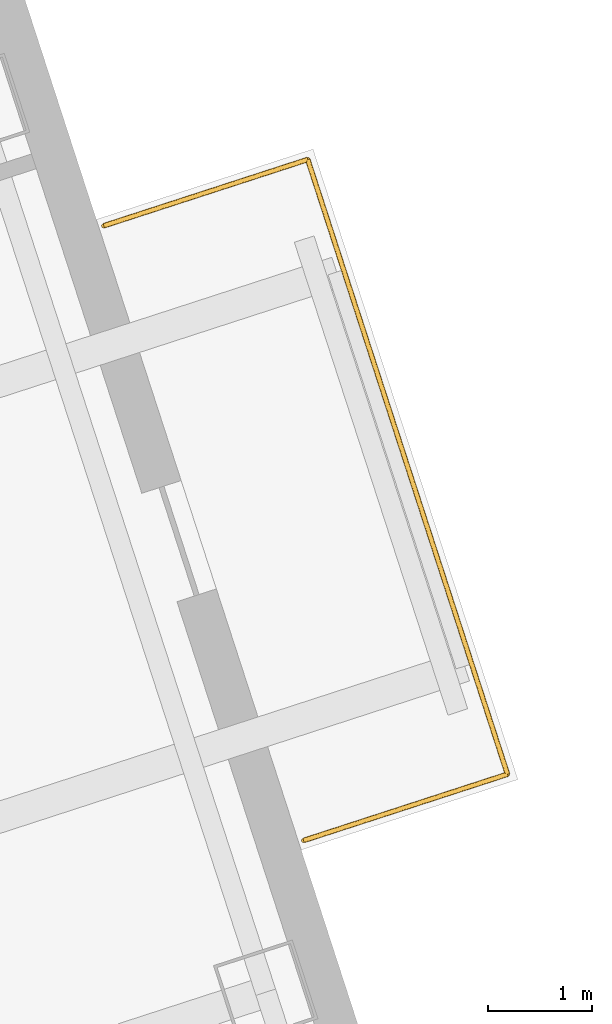
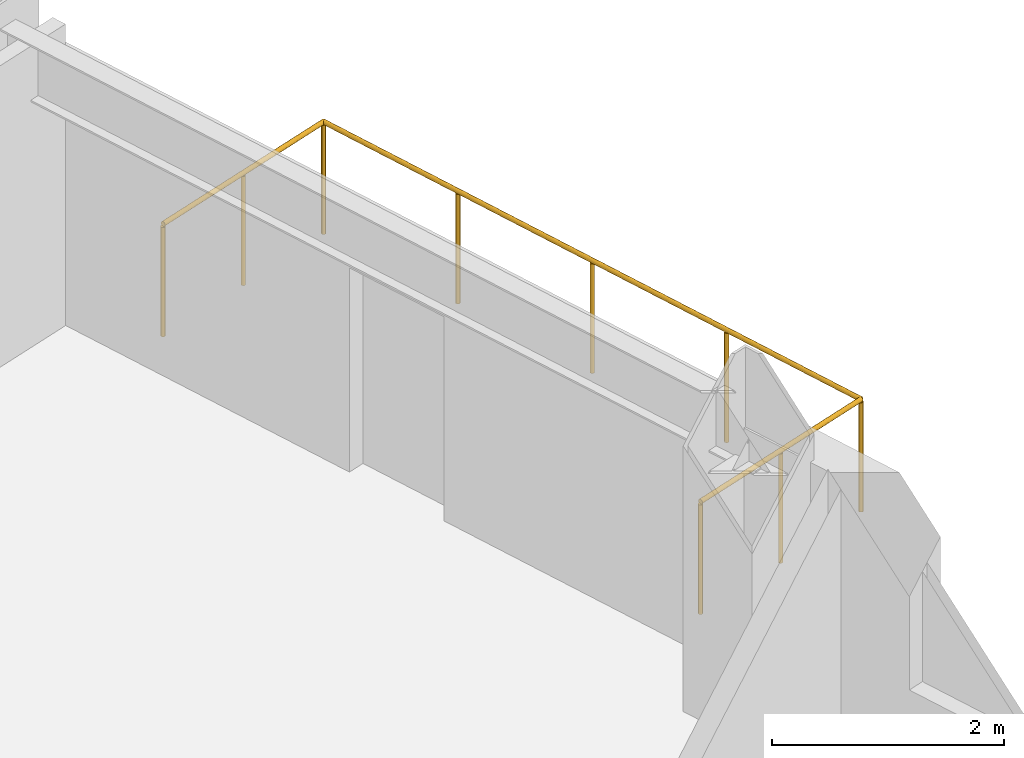
# One storey, part 17 of 17: 1 railing.
"""IFC4 building model written with IfcOpenShell, lengths in metres."""

from ifc_helpers import new_model, si_unit, direction, frame, origin, origin_2d, place, context, subcontext, project, spatial, circle, extrude, material, type_object, element, save


model = new_model("IFC4")

# Units and contexts
model_context = context("Model", 3, precision=1e-05, world=origin(), true_north=direction((0.0, 1.0)))
body_context = subcontext(model_context, "Body", "Model", "MODEL_VIEW")
ifc_project = project(units=[si_unit("LENGTHUNIT", "METRE"), si_unit("AREAUNIT", "SQUARE_METRE"), si_unit("VOLUMEUNIT", "CUBIC_METRE"), si_unit("PLANEANGLEUNIT", "RADIAN"), si_unit("MASSUNIT", "GRAM", prefix="KILO")], contexts=[model_context])

# Site, building, storey
site_placement = place(None, origin())
site = spatial("IfcSite", under=ifc_project, at=site_placement, CompositionType="ELEMENT")
building_placement = place(site_placement, origin())
building = spatial("IfcBuilding", under=site, at=building_placement, Name="Qiaolan Cultural Towers", CompositionType="ELEMENT")
storey_placement = place(building_placement, frame((0.0, 0.0, 177.10009765625)))
storey = spatial("IfcBuildingStorey", under=building, at=storey_placement, Name="L47", CompositionType="ELEMENT", Elevation=177.10009765625)

# Railing
ifc_material = material(Name="Laminated SentryGlas & Stainless Steel S31608 Balustrade", Category="steel")
railing_type = type_object("IfcRailingType", Name="GRD-TERR-1200", PredefinedType="BALUSTRADE", material=ifc_material)
railing_placement = place(storey_placement, frame((104.6787109375, 40.115234375, 0.0)))
element("IfcRailing", 1, at=railing_placement, inside=storey, type_object=railing_type, Name="L47 T2 Tree Balcony Guardrail E", PredefinedType="BALUSTRADE", context=body_context, shape_type="SweptSolid", body=[
    extrude(circle(Radius=0.02392578125, at=origin_2d()), frame((0.0, 0.0, 1.17578125), z_axis=(0.951061799618, 0.309000733507, 0.0), x_axis=(-0.309000733507, 0.951061799618, 0.0)), (0.0, 0.0, 1.0), 2.070068359375),
    extrude(circle(Radius=0.02392578125, at=origin_2d()), frame((1.96875, 0.6396484375, 1.17578125), z_axis=(-0.30901175762, 0.951058217804, 0.0), x_axis=(-0.951058217804, -0.30901175762, 0.0)), (0.0, 0.0, 1.0), 6.239990234375),
    extrude(circle(Radius=0.02392578125, at=origin_2d()), frame((0.04052734375, 6.57421875, 1.17578125), z_axis=(-0.951061799618, -0.309000733507, 0.0), x_axis=(0.309000733507, -0.951061799618, 0.0)), (0.0, 0.0, 1.0), 2.070068359375),
    extrude(circle(Radius=0.02099609375, at=origin_2d()), origin(), (0.0, 0.0, 1.0), 1.15185546875),
    extrude(circle(Radius=0.02099609375, at=origin_2d()), frame((0.984375, 0.31982421875, 0.0)), (0.0, 0.0, 1.0), 1.15185546875),
    extrude(circle(Radius=0.02099609375, at=origin_2d()), frame((1.96875, 0.6396484375, 0.0)), (0.0, 0.0, 1.0), 1.15185546875),
    extrude(circle(Radius=0.02099609375, at=origin_2d()), frame((1.48681640625, 2.123291015625, 0.0)), (0.0, 0.0, 1.0), 1.15185546875),
    extrude(circle(Radius=0.02099609375, at=origin_2d()), frame((1.004638671875, 3.60693359375, 0.0)), (0.0, 0.0, 1.0), 1.15185546875),
    extrude(circle(Radius=0.02099609375, at=origin_2d()), frame((0.5224609375, 5.090576171875, 0.0)), (0.0, 0.0, 1.0), 1.15185546875),
    extrude(circle(Radius=0.02099609375, at=origin_2d()), frame((0.04052734375, 6.57421875, 0.0)), (0.0, 0.0, 1.0), 1.15185546875),
    extrude(circle(Radius=0.02099609375, at=origin_2d()), frame((-0.94384765625, 6.25439453125, 0.0)), (0.0, 0.0, 1.0), 1.15185546875),
    extrude(circle(Radius=0.02099609375, at=origin_2d()), frame((-1.92822265625, 5.9345703125, 0.0)), (0.0, 0.0, 1.0), 1.15185546875),
])

save(model, "model.ifc")
